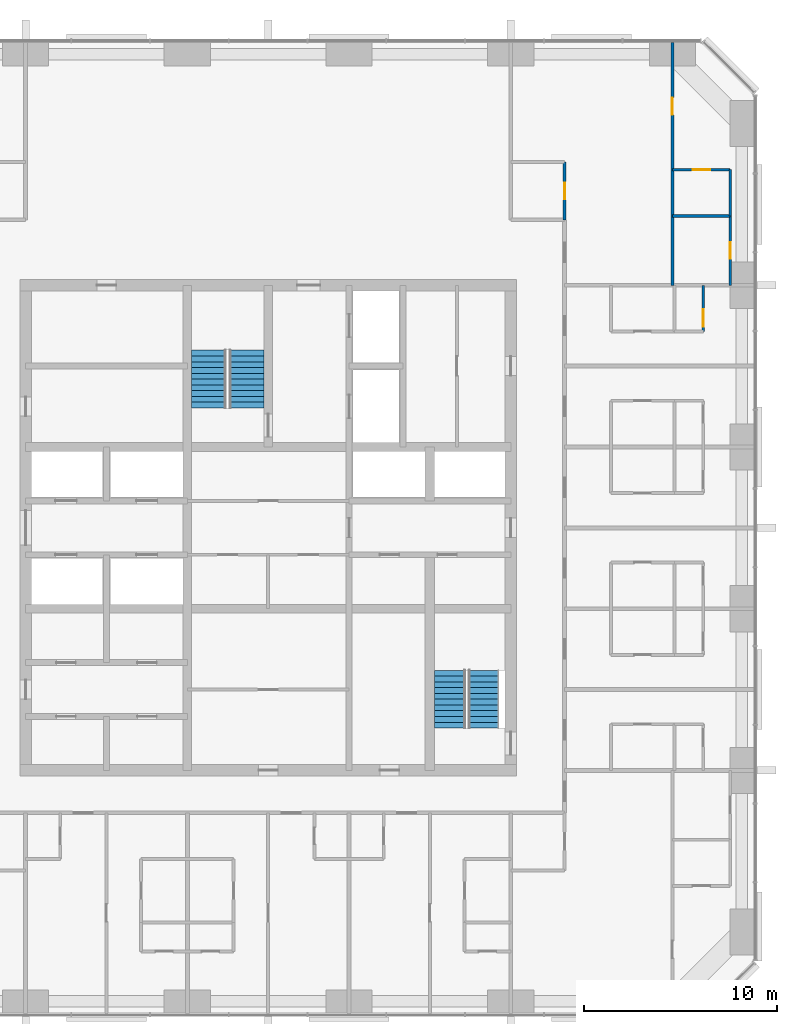
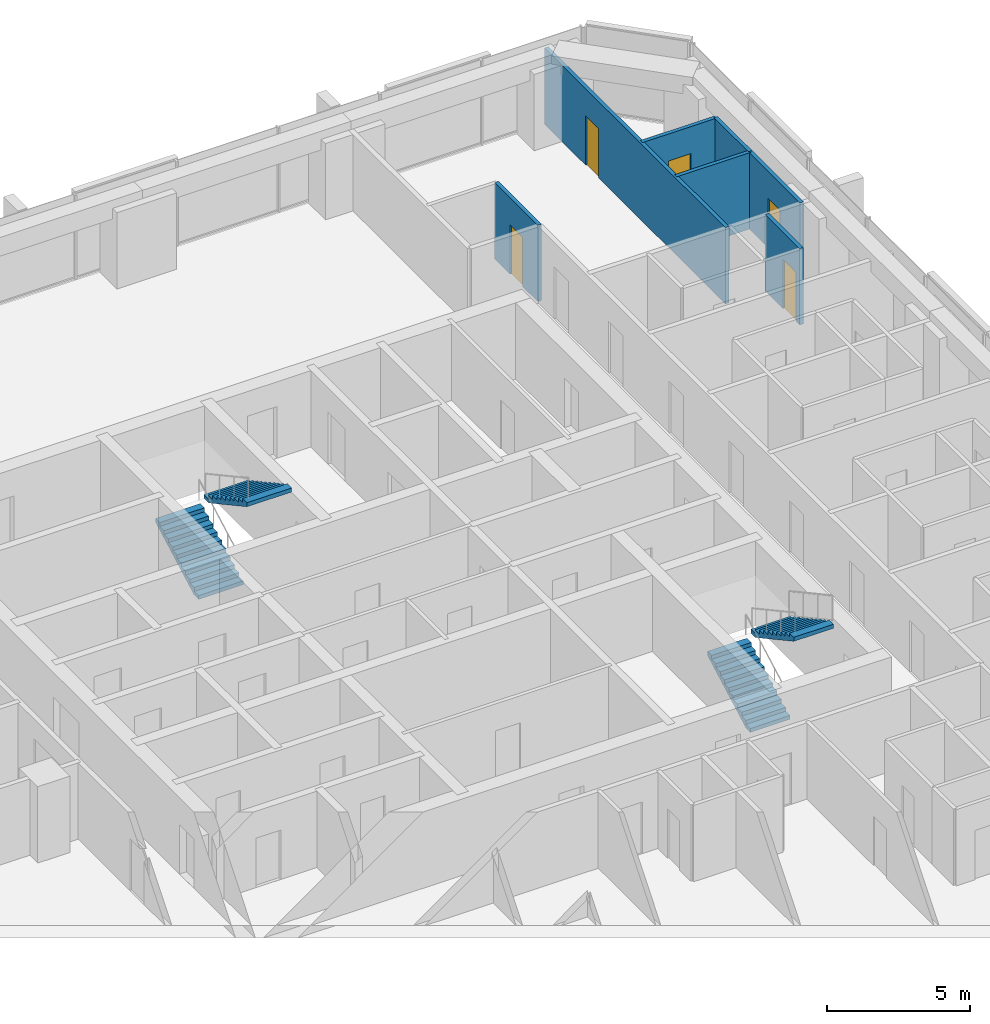
# One storey, part 13 of 14: 7 walls, 5 doors, 4 stair flights, 5 openings, 2 elements without a shape of their own.
"""IFC4 building model written with IfcOpenShell, lengths in metres."""

from ifc_helpers import new_model, si_unit, direction, frame, frame_2d, origin, place, context, subcontext, project, spatial, polyline, rectangle, outline, extrude, material, layer, layer_set, type_object, element, fill, aggregate, save


model = new_model("IFC4")

# Units and contexts
model_context = context("Model", 3, precision=1e-05, world=origin(), true_north=direction((0.0, 1.0)))
body_context = subcontext(model_context, "Body", "Model", "MODEL_VIEW")
ifc_project = project(units=[si_unit("LENGTHUNIT", "METRE"), si_unit("AREAUNIT", "SQUARE_METRE"), si_unit("VOLUMEUNIT", "CUBIC_METRE"), si_unit("PLANEANGLEUNIT", "RADIAN"), si_unit("MASSUNIT", "GRAM", prefix="KILO")], contexts=[model_context])

# Site, building, storey
site_placement = place(None, origin())
site = spatial("IfcSite", under=ifc_project, at=site_placement, CompositionType="ELEMENT")
building_placement = place(site_placement, origin())
building = spatial("IfcBuilding", under=site, at=building_placement, Name="Dunama Terrace Hotel", CompositionType="ELEMENT")
storey_placement = place(building_placement, frame((0.0, 0.0, 184.199951171875)))
storey = spatial("IfcBuildingStorey", under=building, at=storey_placement, Name="L47", CompositionType="ELEMENT", Elevation=184.199951171875)

# Wall, opening, door
ifc_material_1 = material(Name="Gypsum board partition", Category="masonry")
ifc_layer_1 = layer(ifc_material_1, 0.14990234375)
ifc_layer_set_1 = layer_set([ifc_layer_1], Name="Bathroom partition 150")
wall_type_1 = type_object("IfcWallType", Name="Bathroom partition 150", PredefinedType="PARTITIONING", material=ifc_layer_set_1)
wall_1_placement = place(storey_placement, frame((44.800048828125, 45.39990234375, 0.0), z_axis=(0.0, 0.0, 1.0), x_axis=(0.0, 1.0, 0.0)))
wall_1 = element("IfcWall", 1, at=wall_1_placement, inside=storey, type_object=wall_type_1, Name="Bathroom partition 150 L47", PredefinedType="PARTITIONING", context=body_context, shape_type="SweptSolid", body=[
    extrude(rectangle(XDim=3.0, YDim=0.14990234375, at=frame_2d((1.5, 0.0))), origin(), (0.0, 0.0, 1.0), 3.25),
])
opening_1_placement = place(wall_1_placement, frame((1.074951171875, 0.0, 0.0)))
opening_1 = element("IfcOpeningElement", 2, at=opening_1_placement, cuts=wall_1, Name="Opening L46-47-063", PredefinedType="OPENING", context=body_context, shape_type="SweptSolid", body=[
    extrude(rectangle(XDim=0.85009765625, YDim=2.10009765625, at=frame_2d((0.425048828125, 1.050048828125))), frame((0.0, 0.0849609375, 0.0), z_axis=(0.0, -1.0, 0.0), x_axis=(1.0, 0.0, 0.0)), (0.0, 0.0, 1.0), 0.169921875),
])
ifc_material_2 = material(Name="Timber door with steel frame", Category="steel")
door_type_1 = type_object("IfcDoorType", Name="Bathroom door 850", OperationType="SINGLE_SWING_LEFT", PredefinedType="DOOR", material=ifc_material_2)
door_1_placement = place(opening_1_placement, origin())
door_1 = element("IfcDoor", 3, at=door_1_placement, inside=storey, type_object=door_type_1, Name="Door to powder room L46-47-063, type D2", OperationType="SINGLE_SWING_LEFT", OverallHeight=2.10009765625, OverallWidth=0.85009765625, PredefinedType="DOOR", context=body_context, shape_type="SweptSolid", body=[
    extrude(rectangle(XDim=0.85009765625, YDim=2.10009765625, at=frame_2d((0.425048828125, 1.050048828125))), frame((0.0, 0.02490234375, 0.0), z_axis=(0.0, -1.0, 0.0), x_axis=(1.0, 0.0, 0.0)), (0.0, 0.0, 1.0), 0.050048828125),
])
fill(opening_1, door_1)

wall_2_placement = place(storey_placement, frame((53.39990234375, 42.0, 0.0), z_axis=(0.0, 0.0, 1.0), x_axis=(0.0, 1.0, 0.0)))
wall_2 = element("IfcWall", 4, at=wall_2_placement, inside=storey, type_object=wall_type_1, Name="Bathroom partition 150 L47", PredefinedType="PARTITIONING", context=body_context, shape_type="SweptSolid", body=[
    extrude(rectangle(XDim=3.60009765625, YDim=0.14990234375, at=frame_2d((1.800048828125, 0.0))), origin(), (0.0, 0.0, 1.0), 3.25),
])
opening_2_placement = place(wall_2_placement, frame((1.375, 0.0, 0.0)))
opening_2 = element("IfcOpeningElement", 5, at=opening_2_placement, cuts=wall_2, Name="Opening L46-47-065", PredefinedType="OPENING", context=body_context, shape_type="SweptSolid", body=[
    extrude(rectangle(XDim=0.85009765625, YDim=2.10009765625, at=frame_2d((0.425048828125, 1.050048828125))), frame((0.0, 0.0849609375, 0.0), z_axis=(0.0, -1.0, 0.0), x_axis=(1.0, 0.0, 0.0)), (0.0, 0.0, 1.0), 0.169921875),
])
door_2_placement = place(opening_2_placement, origin())
door_2 = element("IfcDoor", 6, at=door_2_placement, inside=storey, type_object=door_type_1, Name="Door to en-suite bathroom L46-47-065, type D2", OperationType="SINGLE_SWING_LEFT", OverallHeight=2.10009765625, OverallWidth=0.85009765625, PredefinedType="DOOR", context=body_context, shape_type="SweptSolid", body=[
    extrude(rectangle(XDim=0.85009765625, YDim=2.10009765625, at=frame_2d((0.425048828125, 1.050048828125))), frame((0.0, 0.02490234375, 0.0), z_axis=(0.0, -1.0, 0.0), x_axis=(1.0, 0.0, 0.0)), (0.0, 0.0, 1.0), 0.050048828125),
])
fill(opening_2, door_2)

ifc_material_3 = material(Name="Gypsum board partition", Category="masonry")
ifc_layer_2 = layer(ifc_material_3, 0.14990234375)
ifc_layer_set_2 = layer_set([ifc_layer_2], Name="Room partition 150")
wall_type_2 = type_object("IfcWallType", Name="Room partition 150", PredefinedType="PARTITIONING", material=ifc_layer_set_2)
wall_3_placement = place(storey_placement, frame((50.39990234375, 42.0, 0.0), z_axis=(0.0, 0.0, 1.0), x_axis=(0.0, 1.0, 0.0)))
wall_3 = element("IfcWall", 7, at=wall_3_placement, inside=storey, type_object=wall_type_2, Name="Room partition 150 L47", PredefinedType="PARTITIONING", context=body_context, shape_type="SweptSolid", body=[
    extrude(rectangle(XDim=12.617919921875, YDim=0.14990234375, at=frame_2d((6.30908203125, 0.0))), origin(), (0.0, 0.0, 1.0), 3.25),
])
opening_3_placement = place(wall_3_placement, frame((8.85009765625, 0.0, 0.0)))
opening_3 = element("IfcOpeningElement", 8, at=opening_3_placement, cuts=wall_3, Name="Opening L46-47-064", PredefinedType="OPENING", context=body_context, shape_type="SweptSolid", body=[
    extrude(rectangle(XDim=0.89990234375, YDim=2.10009765625, at=frame_2d((0.449951171875, 1.050048828125))), frame((0.0, 0.0849609375, 0.0), z_axis=(0.0, -1.0, 0.0), x_axis=(1.0, 0.0, 0.0)), (0.0, 0.0, 1.0), 0.169921875),
])
ifc_material_4 = material(Name="Timber door with steel frame", Category="steel")
door_type_2 = type_object("IfcDoorType", Name="Suite internal door 900", OperationType="SINGLE_SWING_LEFT", PredefinedType="DOOR", material=ifc_material_4)
door_3_placement = place(opening_3_placement, frame((0.89990234375, 0.0, 0.0), z_axis=(0.0, 0.0, 1.0), x_axis=(-1.0, 0.0, 0.0)))
door_3 = element("IfcDoor", 9, at=door_3_placement, inside=storey, type_object=door_type_2, Name="Door to corner suite bedroom L46-47-064, type D16", OperationType="SINGLE_SWING_LEFT", OverallHeight=2.10009765625, OverallWidth=0.89990234375, PredefinedType="DOOR", context=body_context, shape_type="SweptSolid", body=[
    extrude(rectangle(XDim=0.89990234375, YDim=2.10009765625, at=frame_2d((0.449951171875, 1.050048828125))), frame((0.0, 0.025146484375, 0.0), z_axis=(0.0, -1.0, 0.0), x_axis=(1.0, 0.0, 0.0)), (0.0, 0.0, 1.0), 0.050048828125),
])
fill(opening_3, door_3)

wall_4_placement = place(storey_placement, frame((52.0, 39.60009765625, 0.0), z_axis=(0.0, 0.0, 1.0), x_axis=(0.0, 1.0, 0.0)))
wall_4 = element("IfcWall", 10, at=wall_4_placement, inside=storey, type_object=wall_type_2, Name="Room partition 150 L47", PredefinedType="PARTITIONING", context=body_context, shape_type="SweptSolid", body=[
    extrude(rectangle(XDim=2.39990234375, YDim=0.14990234375, at=frame_2d((1.199951171875, 0.0))), origin(), (0.0, 0.0, 1.0), 3.25),
])
opening_4_placement = place(wall_4_placement, frame((0.25, 0.0, 0.0)))
opening_4 = element("IfcOpeningElement", 11, at=opening_4_placement, cuts=wall_4, Name="Opening L46-47-041", PredefinedType="OPENING", context=body_context, shape_type="SweptSolid", body=[
    extrude(rectangle(XDim=0.89990234375, YDim=2.10009765625, at=frame_2d((0.449951171875, 1.050048828125))), frame((0.0, 0.0849609375, 0.0), z_axis=(0.0, -1.0, 0.0), x_axis=(1.0, 0.0, 0.0)), (0.0, 0.0, 1.0), 0.169921875),
])
door_4_placement = place(opening_4_placement, origin())
door_4 = element("IfcDoor", 12, at=door_4_placement, inside=storey, type_object=door_type_2, Name="Door to walk-in wardrobe L46-47-041, type D16", OperationType="SINGLE_SWING_LEFT", OverallHeight=2.10009765625, OverallWidth=0.89990234375, PredefinedType="DOOR", context=body_context, shape_type="SweptSolid", body=[
    extrude(rectangle(XDim=0.89990234375, YDim=2.10009765625, at=frame_2d((0.449951171875, 1.050048828125))), frame((0.0, 0.02490234375, 0.0), z_axis=(0.0, -1.0, 0.0), x_axis=(1.0, 0.0, 0.0)), (0.0, 0.0, 1.0), 0.050048828125),
])
fill(opening_4, door_4)

# Walls
wall_5_placement = place(storey_placement, frame((53.39990234375, 45.60009765625, 0.0), z_axis=(0.0, 0.0, 1.0), x_axis=(0.0, 1.0, 0.0)))
element("IfcWall", 13, at=wall_5_placement, inside=storey, type_object=wall_type_2, Name="Room partition 150 L47", PredefinedType="PARTITIONING", context=body_context, shape_type="SweptSolid", body=[
    extrude(rectangle(XDim=2.39990234375, YDim=0.14990234375, at=frame_2d((1.199951171875, 0.0))), origin(), (0.0, 0.0, 1.0), 3.25),
])
wall_6_placement = place(storey_placement, frame((50.39990234375, 45.60009765625, 0.0), z_axis=(0.0, 0.0, 1.0), x_axis=(1.0, 0.0, 0.0)))
element("IfcWall", 14, at=wall_6_placement, inside=storey, type_object=wall_type_2, Name="Room partition 150 L47", PredefinedType="PARTITIONING", context=body_context, shape_type="SweptSolid", body=[
    extrude(rectangle(XDim=3.0, YDim=0.14990234375, at=frame_2d((1.5, 0.0))), origin(), (0.0, 0.0, 1.0), 3.25),
])

# Wall, opening, door
wall_7_placement = place(storey_placement, frame((50.39990234375, 48.0, 0.0), z_axis=(0.0, 0.0, 1.0), x_axis=(1.0, 0.0, 0.0)))
wall_7 = element("IfcWall", 15, at=wall_7_placement, inside=storey, type_object=wall_type_2, Name="Room partition 150 L47", PredefinedType="PARTITIONING", context=body_context, shape_type="SweptSolid", body=[
    extrude(rectangle(XDim=3.0, YDim=0.14990234375, at=frame_2d((1.5, 0.0))), origin(), (0.0, 0.0, 1.0), 3.25),
])
opening_5_placement = place(wall_7_placement, frame((1.050048828125, 0.0, 0.0)))
opening_5 = element("IfcOpeningElement", 16, at=opening_5_placement, cuts=wall_7, Name="Opening L46-47-066", PredefinedType="OPENING", context=body_context, shape_type="SweptSolid", body=[
    extrude(rectangle(XDim=0.89990234375, YDim=2.10009765625, at=frame_2d((0.449951171875, 1.050048828125))), frame((0.0, 0.0849609375, 0.0), z_axis=(0.0, -1.0, 0.0), x_axis=(1.0, 0.0, 0.0)), (0.0, 0.0, 1.0), 0.169921875),
])
door_5_placement = place(opening_5_placement, frame((0.89990234375, 0.0, 0.0), z_axis=(0.0, 0.0, 1.0), x_axis=(-1.0, 0.0, 0.0)))
door_5 = element("IfcDoor", 17, at=door_5_placement, inside=storey, type_object=door_type_2, Name="Door to dressing room L46-47-066, type D16", OperationType="SINGLE_SWING_RIGHT", OverallHeight=2.10009765625, OverallWidth=0.89990234375, PredefinedType="DOOR", context=body_context, shape_type="SweptSolid", body=[
    extrude(rectangle(XDim=0.89990234375, YDim=2.10009765625, at=frame_2d((0.449951171875, 1.050048828125))), frame((0.0, 0.025146484375, 0.0), z_axis=(0.0, -1.0, 0.0), x_axis=(1.0, 0.0, 0.0)), (0.0, 0.0, 1.0), 0.050048828125),
])
fill(opening_5, door_5)

# Stair, stair flights
ifc_material_5 = material(Name="Concrete C40/50", Category="concrete")
stair_type_1 = type_object("IfcStairType", Name="Stair ST1-3600-1800", PredefinedType="HALF_TURN_STAIR", material=ifc_material_5)
stair_1_placement = place(storey_placement, origin())
stair_1 = element("IfcStair", 18, at=stair_1_placement, inside=storey, type_object=stair_type_1, Name="Stair ST1 L47", PredefinedType="HALF_TURN_STAIR")
ifc_material_6 = material(Name="Concrete C40/50", Category="concrete")
stair_flight_type_1 = type_object("IfcStairFlightType", Name="Stair flight ST1-3600-1800", PredefinedType="STRAIGHT", material=ifc_material_6)
stair_flight_1_placement = place(storey_placement, frame((26.324951171875, 35.625, 0.0), z_axis=(0.0, 0.0, 1.0), x_axis=(0.0, 1.0, 0.0)))
stair_flight_1 = element("IfcStairFlight", 19, at=stair_flight_1_placement, type_object=stair_flight_type_1, Name="ST1 flight 1", NumberOfRisers=11, NumberOfTreads=10, PredefinedType="STRAIGHT", RiserHeight=0.163636364, TreadLength=0.3, context=body_context, shape_type="SweptSolid", body=[
    extrude(outline(polyline([(0.0, 0.0), (0.0, 0.16357421875), (0.300048828125, 0.16357421875), (0.300048828125, 0.327392578125), (0.60009765625, 0.327392578125), (0.60009765625, 0.490966796875), (0.89990234375, 0.490966796875), (0.89990234375, 0.654541015625), (1.199951171875, 0.654541015625), (1.199951171875, 0.818115234375), (1.5, 0.818115234375), (1.5, 0.98193359375), (1.800048828125, 0.98193359375), (1.800048828125, 1.1455078125), (2.10009765625, 1.1455078125), (2.10009765625, 1.30908203125), (2.39990234375, 1.30908203125), (2.39990234375, 1.47265625), (2.699951171875, 1.47265625), (2.699951171875, 1.636474609375), (3.0, 1.636474609375), (3.0, 1.800048828125), (3.0, 1.465576171875), (0.31298828125, 0.0), (0.0, 0.0)])), frame((0.0, 0.89990234375, 0.0), z_axis=(0.0, -1.0, 0.0), x_axis=(1.0, 0.0, 0.0)), (0.0, 0.0, 1.0), 1.800048828125),
])
stair_flight_2_placement = place(storey_placement, frame((28.27490234375, 38.625, 1.800048828125), z_axis=(0.0, 0.0, 1.0), x_axis=(0.0, -1.0, 0.0)))
stair_flight_2 = element("IfcStairFlight", 20, at=stair_flight_2_placement, type_object=stair_flight_type_1, Name="ST1 flight 2", NumberOfRisers=11, NumberOfTreads=10, PredefinedType="STRAIGHT", RiserHeight=0.163636364, TreadLength=0.3, context=body_context, shape_type="SweptSolid", body=[
    extrude(outline(polyline([(0.0, 0.0), (0.0, 0.16357421875), (0.300048828125, 0.16357421875), (0.300048828125, 0.327392578125), (0.60009765625, 0.327392578125), (0.60009765625, 0.490966796875), (0.89990234375, 0.490966796875), (0.89990234375, 0.654541015625), (1.199951171875, 0.654541015625), (1.199951171875, 0.818115234375), (1.5, 0.818115234375), (1.5, 0.98193359375), (1.800048828125, 0.98193359375), (1.800048828125, 1.1455078125), (2.10009765625, 1.1455078125), (2.10009765625, 1.30908203125), (2.39990234375, 1.30908203125), (2.39990234375, 1.47265625), (2.699951171875, 1.47265625), (2.699951171875, 1.636474609375), (3.0, 1.636474609375), (3.0, 1.800048828125), (3.0, 1.465576171875), (0.31298828125, 0.0), (0.0, 0.0)])), frame((0.0, 0.89990234375, 0.0), z_axis=(0.0, -1.0, 0.0), x_axis=(1.0, 0.0, 0.0)), (0.0, 0.0, 1.0), 1.800048828125),
])
aggregate(stair_1, [stair_flight_1, stair_flight_2])

ifc_material_7 = material(Name="Concrete C40/50", Category="concrete")
stair_type_2 = type_object("IfcStairType", Name="Stair ST2-3600-1600", PredefinedType="HALF_TURN_STAIR", material=ifc_material_7)
stair_2_placement = place(storey_placement, origin())
stair_2 = element("IfcStair", 21, at=stair_2_placement, inside=storey, type_object=stair_type_2, Name="Stair ST2 L47", PredefinedType="HALF_TURN_STAIR")
ifc_material_8 = material(Name="Concrete C40/50", Category="concrete")
stair_flight_type_2 = type_object("IfcStairFlightType", Name="Stair flight ST2-3600-1600", PredefinedType="STRAIGHT", material=ifc_material_8)
stair_flight_3_placement = place(storey_placement, frame((38.85009765625, 19.0, 0.0), z_axis=(0.0, 0.0, 1.0), x_axis=(0.0, 1.0, 0.0)))
stair_flight_3 = element("IfcStairFlight", 22, at=stair_flight_3_placement, type_object=stair_flight_type_2, Name="ST2 flight 1", NumberOfRisers=11, NumberOfTreads=10, PredefinedType="STRAIGHT", RiserHeight=0.163636364, TreadLength=0.3, context=body_context, shape_type="SweptSolid", body=[
    extrude(outline(polyline([(0.0, 0.0), (0.0, 0.16357421875), (0.300048828125, 0.16357421875), (0.300048828125, 0.327392578125), (0.60009765625, 0.327392578125), (0.60009765625, 0.490966796875), (0.89990234375, 0.490966796875), (0.89990234375, 0.654541015625), (1.199951171875, 0.654541015625), (1.199951171875, 0.818115234375), (1.5, 0.818115234375), (1.5, 0.98193359375), (1.800048828125, 0.98193359375), (1.800048828125, 1.1455078125), (2.10009765625, 1.1455078125), (2.10009765625, 1.30908203125), (2.39990234375, 1.30908203125), (2.39990234375, 1.47265625), (2.699951171875, 1.47265625), (2.699951171875, 1.636474609375), (3.0, 1.636474609375), (3.0, 1.800048828125), (3.0, 1.465576171875), (0.31298828125, 0.0), (0.0, 0.0)])), frame((0.0, 0.800048828125, 0.0), z_axis=(0.0, -1.0, 0.0), x_axis=(1.0, 0.0, 0.0)), (0.0, 0.0, 1.0), 1.60009765625),
])
stair_flight_4_placement = place(storey_placement, frame((40.60009765625, 22.0, 1.800048828125), z_axis=(0.0, 0.0, 1.0), x_axis=(0.0, -1.0, 0.0)))
stair_flight_4 = element("IfcStairFlight", 23, at=stair_flight_4_placement, type_object=stair_flight_type_2, Name="ST2 flight 2", NumberOfRisers=11, NumberOfTreads=10, PredefinedType="STRAIGHT", RiserHeight=0.163636364, TreadLength=0.3, context=body_context, shape_type="SweptSolid", body=[
    extrude(outline(polyline([(0.0, 0.0), (0.0, 0.16357421875), (0.300048828125, 0.16357421875), (0.300048828125, 0.327392578125), (0.60009765625, 0.327392578125), (0.60009765625, 0.490966796875), (0.89990234375, 0.490966796875), (0.89990234375, 0.654541015625), (1.199951171875, 0.654541015625), (1.199951171875, 0.818115234375), (1.5, 0.818115234375), (1.5, 0.98193359375), (1.800048828125, 0.98193359375), (1.800048828125, 1.1455078125), (2.10009765625, 1.1455078125), (2.10009765625, 1.30908203125), (2.39990234375, 1.30908203125), (2.39990234375, 1.47265625), (2.699951171875, 1.47265625), (2.699951171875, 1.636474609375), (3.0, 1.636474609375), (3.0, 1.800048828125), (3.0, 1.465576171875), (0.31298828125, 0.0), (0.0, 0.0)])), frame((0.0, 0.800048828125, 0.0), z_axis=(0.0, -1.0, 0.0), x_axis=(1.0, 0.0, 0.0)), (0.0, 0.0, 1.0), 1.60009765625),
])
aggregate(stair_2, [stair_flight_3, stair_flight_4])

save(model, "model.ifc")
